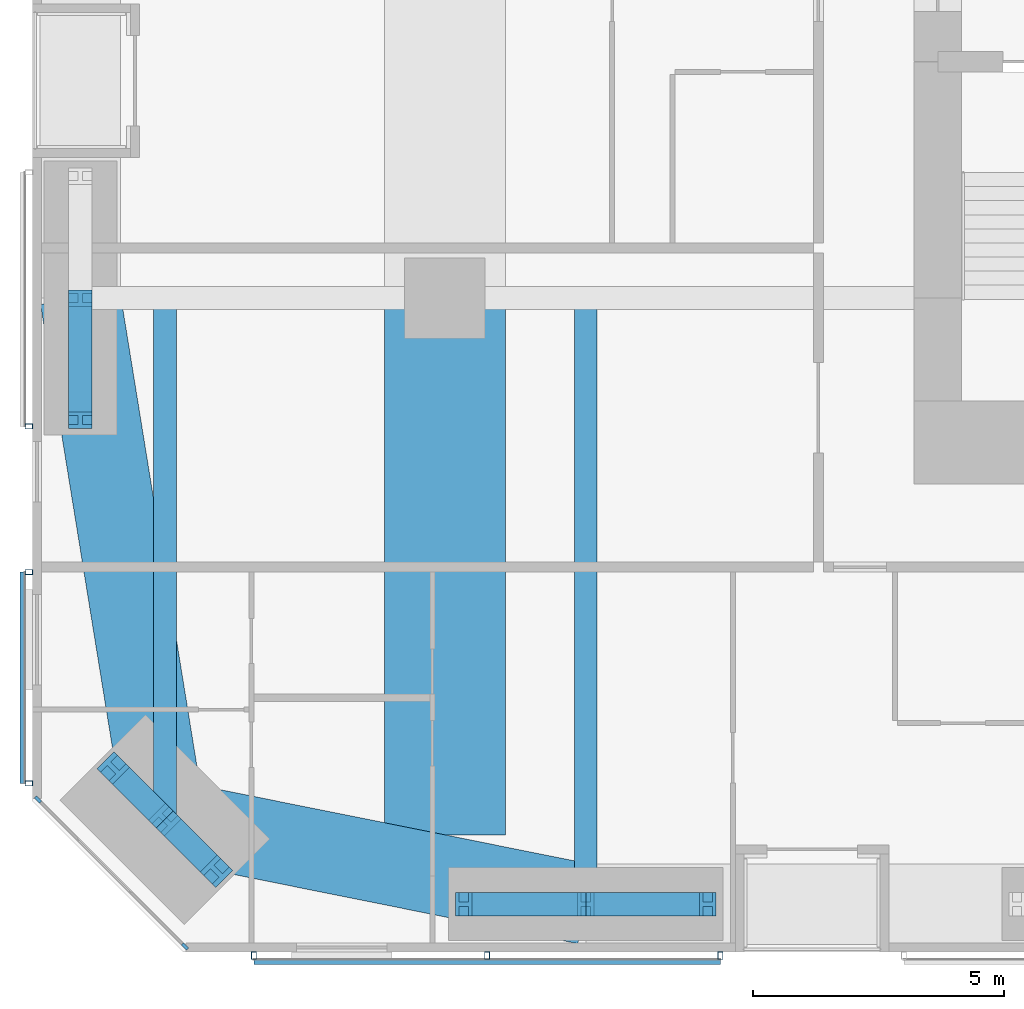
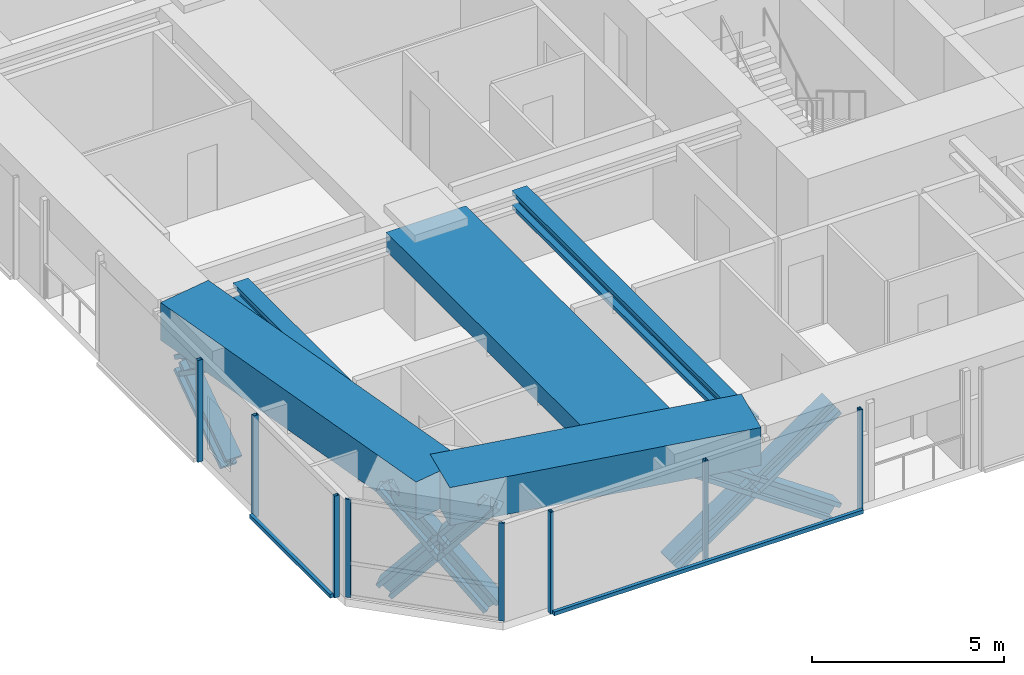
# One storey, part 2 of 23: 20 members, 5 beams, 4 elements without a shape of their own.
"""IFC4 building model written with IfcOpenShell, lengths in metres."""

import ifcopenshell
import ifcopenshell.guid

model = None  # the IFC model being written
_history = None  # IfcOwnerHistory: only IFC2X3 demands one
_inside = {}  # id of a spatial element -> (the spatial element, [elements in it])
_under = {}  # id of a project, library or spatial element -> (it, [spatial elements below it])
_declared = {}  # id of a project -> (the project, [libraries it declares])
_typed = {}  # id of a type object -> (the type object, [elements of that type])
_made_of = {}  # id of a material, layer set ... -> (it, [elements and type objects made of it])


def new_model(schema):
    """Start an empty IFC model of exactly this schema.

    Asked for "IFC4X3", IfcOpenShell would pick the latest addendum, in which some entities
    have other attributes; the version numbers below select the first issue.
    IFC2X3 requires an IfcOwnerHistory on every rooted entity: one is made here for all.
    """
    global model, _history
    if schema == "IFC4X3":
        model = ifcopenshell.file(schema_version=(4, 3, 0, 0))
    else:
        model = ifcopenshell.file(schema=schema)
    _inside.clear()
    _under.clear()
    _declared.clear()
    _typed.clear()
    _made_of.clear()
    _history = None
    if model.schema == "IFC2X3":
        org = make("IfcOrganization", Name="unknown")
        user = make(
            "IfcPersonAndOrganization",
            ThePerson=make("IfcPerson", FamilyName="unknown"),
            TheOrganization=org,
        )
        app = make(
            "IfcApplication",
            ApplicationDeveloper=org,
            Version="unknown",
            ApplicationFullName="unknown",
            ApplicationIdentifier="unknown",
        )
        _history = make(
            "IfcOwnerHistory",
            OwningUser=user,
            OwningApplication=app,
            ChangeAction="ADDED",
            CreationDate=0,
        )
    return model


def make(cls, **values):
    """One entity of the class cls with the attributes given. An attribute that is None is left unset."""
    return model.create_entity(
        cls, **{name: value for name, value in values.items() if value is not None}
    )


def rooted(cls, **values):
    """An entity with a GlobalId (a new one), such as an element, a storey or a relation."""
    return make(cls, GlobalId=ifcopenshell.guid.new(), OwnerHistory=_history, **values)


def si_unit(unit_type, name, prefix=None):
    """IfcSIUnit, for example si_unit("LENGTHUNIT", "METRE", prefix="MILLI")."""
    return make("IfcSIUnit", UnitType=unit_type, Prefix=prefix, Name=name)


def assignment(units):
    """IfcUnitAssignment: the units of a project."""
    return None if units is None else make("IfcUnitAssignment", Units=units)


def point(xyz):
    """IfcCartesianPoint."""
    return None if xyz is None else make("IfcCartesianPoint", Coordinates=xyz)


def direction(xyz):
    """IfcDirection."""
    return None if xyz is None else make("IfcDirection", DirectionRatios=xyz)


def frame(location, z_axis=None, x_axis=None):
    """IfcAxis2Placement3D, a coordinate frame: its origin and axes. An axis left out is left unset."""
    return make(
        "IfcAxis2Placement3D",
        Location=point(location),
        Axis=direction(z_axis),
        RefDirection=direction(x_axis),
    )


def frame_2d(location, x_axis=None):
    """IfcAxis2Placement2D, a coordinate frame in the plane: its origin and x axis."""
    return make(
        "IfcAxis2Placement2D", Location=point(location), RefDirection=direction(x_axis)
    )


def origin():
    """The frame at (0, 0, 0) with its axes left unset."""
    return frame((0.0, 0.0, 0.0))


def origin_2d():
    """The frame at (0, 0) in the plane with its x axis left unset."""
    return frame_2d((0.0, 0.0))


def place(relative_to, where):
    """IfcLocalPlacement: puts the frame where relative to a parent placement (None: the world)."""
    return make(
        "IfcLocalPlacement", PlacementRelTo=relative_to, RelativePlacement=where
    )


def context(
    kind, dimensions, precision=None, world=None, true_north=None, identifier=None
):
    """IfcGeometricRepresentationContext, for example the 3D "Model" context."""
    return make(
        "IfcGeometricRepresentationContext",
        ContextIdentifier=identifier,
        ContextType=kind,
        CoordinateSpaceDimension=dimensions,
        Precision=precision,
        WorldCoordinateSystem=world,
        TrueNorth=true_north,
    )


def subcontext(parent, identifier, kind, view, scale=None):
    """IfcGeometricRepresentationSubContext, for example "Body" below "Model"."""
    return make(
        "IfcGeometricRepresentationSubContext",
        ContextIdentifier=identifier,
        ContextType=kind,
        ParentContext=parent,
        TargetScale=scale,
        TargetView=view,
    )


def project(units=None, contexts=None):
    """IfcProject with its units and contexts."""
    return rooted(
        "IfcProject",
        Name="project",
        RepresentationContexts=contexts,
        UnitsInContext=assignment(units),
    )


def spatial(cls, under=None, at=None, **own):
    """A site, building, storey or space (cls), placed at a placement, below another one or the project."""
    s = rooted(cls, ObjectPlacement=at, **own)
    if under is not None:
        _under.setdefault(under.id(), (under, []))[1].append(s)
    return s


def profile(cls, at=None, kind="AREA", **sizes):
    """A parametric profile (cls). Its sizes go by their IFC names, for example OverallWidth=200.0."""
    return make(cls, ProfileType=kind, Position=at, **sizes)


def rectangle(**sizes):
    """IfcRectangleProfileDef."""
    return profile("IfcRectangleProfileDef", **sizes)


def hollow_rectangle(**sizes):
    """IfcRectangleHollowProfileDef."""
    return profile("IfcRectangleHollowProfileDef", **sizes)


def i_section(**sizes):
    """IfcIShapeProfileDef."""
    return profile("IfcIShapeProfileDef", **sizes)


def extrude(swept, where, along, depth):
    """IfcExtrudedAreaSolid: the profile swept, set in the frame where, extruded along a direction by depth."""
    return make(
        "IfcExtrudedAreaSolid",
        SweptArea=swept,
        Position=where,
        ExtrudedDirection=direction(along),
        Depth=depth,
    )


def shape(context_of_items, identifier, shape_type, items):
    """IfcShapeRepresentation: the items that make up one representation, for example the "Body"."""
    return make(
        "IfcShapeRepresentation",
        ContextOfItems=context_of_items,
        RepresentationIdentifier=identifier,
        RepresentationType=shape_type,
        Items=items,
    )


def material(Name=None, Category=None):
    """IfcMaterial."""
    return make("IfcMaterial", Name=Name, Category=Category)


def material_profile(
    of_material, cross_section, Name=None, Category=None, Priority=None
):
    """IfcMaterialProfile: a cross section and its material."""
    return make(
        "IfcMaterialProfile",
        Name=Name,
        Material=of_material,
        Profile=cross_section,
        Priority=Priority,
        Category=Category,
    )


def profile_set(profiles, Name=None, composite=None):
    """IfcMaterialProfileSet."""
    return make(
        "IfcMaterialProfileSet",
        Name=Name,
        MaterialProfiles=profiles,
        CompositeProfile=composite,
    )


def made_of(thing, what):
    """Note that an element or type object is made of a material, layer set ...; save() writes the relation."""
    if what is not None:
        _made_of.setdefault(what.id(), (what, []))[1].append(thing)
    return thing


def type_object(cls, material=None, **own):
    """A type object (cls), such as IfcWallType, which elements share."""
    return made_of(rooted(cls, **own), material)


def element(
    cls,
    number,
    at=None,
    inside=None,
    cuts=None,
    type_object=None,
    material=None,
    context=None,
    identifier="Body",
    shape_type=None,
    held_by="IfcProductDefinitionShape",
    body=None,
    shapes=None,
    **own,
):
    """One element of the class cls, such as IfcWall. Its Tag is "e" and its number.

    at: its placement. inside: the storey or other place that contains it. cuts: it is an
    opening in that element (IfcRelVoidsElement). A single representation is given by context,
    identifier, shape_type and body (its items); several are given by shapes. held_by: the class
    of the entity that holds the representations. save() writes the other relations.
    """
    e = rooted(cls, Tag="e%d" % number, ObjectPlacement=at, **own)
    if body is not None:
        shapes = [shape(context, identifier, shape_type, body)]
    if shapes is not None:
        e.Representation = make(held_by, Representations=shapes)
    if inside is not None:
        _inside.setdefault(inside.id(), (inside, []))[1].append(e)
    if cuts is not None:
        rooted(
            "IfcRelVoidsElement", RelatingBuildingElement=cuts, RelatedOpeningElement=e
        )
    if type_object is not None:
        _typed.setdefault(type_object.id(), (type_object, []))[1].append(e)
    return made_of(e, material)


def aggregate(whole, parts):
    """IfcRelAggregates: a whole, such as a stair, and the parts it consists of."""
    return rooted("IfcRelAggregates", RelatingObject=whole, RelatedObjects=parts)


def save(model, path):
    """Write the relations noted so far, then the file.

    IfcRelAggregates (storeys below a building ...), IfcRelContainedInSpatialStructure (elements
    in a storey), IfcRelDefinesByType, IfcRelAssociatesMaterial and IfcRelDeclares: one each for
    every whole, place, type object, material and project.
    """
    for whole, parts in _under.values():
        aggregate(whole, parts)
    for where, things in _inside.values():
        rooted(
            "IfcRelContainedInSpatialStructure",
            RelatedElements=things,
            RelatingStructure=where,
        )
    for kind, things in _typed.values():
        rooted("IfcRelDefinesByType", RelatedObjects=things, RelatingType=kind)
    for what, things in _made_of.values():
        rooted("IfcRelAssociatesMaterial", RelatedObjects=things, RelatingMaterial=what)
    for by, libraries in _declared.values():
        rooted("IfcRelDeclares", RelatingContext=by, RelatedDefinitions=libraries)
    model.write(path)


model = new_model("IFC4")

# Units and contexts
model_context = context("Model", 3, precision=1e-05, world=origin(), true_north=direction((0.0, 1.0)))
body_context = subcontext(model_context, "Body", "Model", "MODEL_VIEW")
ifc_project = project(units=[si_unit("LENGTHUNIT", "METRE"), si_unit("AREAUNIT", "SQUARE_METRE"), si_unit("VOLUMEUNIT", "CUBIC_METRE"), si_unit("PLANEANGLEUNIT", "RADIAN"), si_unit("MASSUNIT", "GRAM", prefix="KILO")], contexts=[model_context])

# Site, building, storey
site_placement = place(None, origin())
site = spatial("IfcSite", under=ifc_project, at=site_placement, CompositionType="ELEMENT")
building_placement = place(site_placement, origin())
building = spatial("IfcBuilding", under=site, at=building_placement, Name="Jalousie Tower", CompositionType="ELEMENT")
storey_placement = place(building_placement, frame((0.0, 0.0, 41.10009765625)))
storey = spatial("IfcBuildingStorey", under=building, at=storey_placement, Name="L10", CompositionType="ELEMENT", Elevation=41.10009765625)

# Curtain wall, members
ifc_material_1 = material(Name="Aluminium curtain wall", Category="aluminium")
curtain_wall_type_1 = type_object("IfcCurtainWallType", Name="CORNER WINDOW WALL", PredefinedType="USERDEFINED", material=ifc_material_1)
curtain_wall_1_placement = place(storey_placement, origin())
curtain_wall_1 = element("IfcCurtainWall", 1, at=curtain_wall_1_placement, inside=storey, type_object=curtain_wall_type_1, Name="Corner Window Wall L10 8", ObjectType="CORNER WINDOW WALL", PredefinedType="USERDEFINED")
ifc_material_2 = material(Name="Aluminium mullion", Category="aluminium")
ifc_material_profile_1 = material_profile(ifc_material_2, rectangle(XDim=0.06005859375, YDim=0.14990234375, at=origin_2d()), Name="MULLION 60x150")
ifc_profile_set_1 = profile_set([ifc_material_profile_1], Name="Aluminium mullion")
member_type_1 = type_object("IfcMemberType", Name="CORNER WINDOW WALL MULLION", PredefinedType="MULLION", material=ifc_profile_set_1)
member_1_placement = place(storey_placement, frame((2.108642578125, 3.030029296875, 0.0), z_axis=(0.0, 0.0, 1.0), x_axis=(0.707106781187, 0.707106781187, 0.0)))
member_1 = element("IfcMember", 2, at=member_1_placement, type_object=member_type_1, Name="CW-C mullion 1", PredefinedType="MULLION", context=body_context, shape_type="SweptSolid", body=[
    extrude(rectangle(XDim=0.06005859375, YDim=0.14990234375, at=origin_2d()), origin(), (0.0, 0.0, 1.0), 3.10986328125),
])
member_2_placement = place(storey_placement, frame((5.030029296875, 0.108642578125, 0.0), z_axis=(0.0, 0.0, 1.0), x_axis=(0.707106781187, 0.707106781187, 0.0)))
member_2 = element("IfcMember", 3, at=member_2_placement, type_object=member_type_1, Name="CW-C mullion 2", PredefinedType="MULLION", context=body_context, shape_type="SweptSolid", body=[
    extrude(rectangle(XDim=0.06005859375, YDim=0.14990234375, at=origin_2d()), origin(), (0.0, 0.0, 1.0), 3.10986328125),
])
aggregate(curtain_wall_1, [member_1, member_2])

# Beams
ifc_material_3 = material(Name="Steel ASTM A992 Grade 50", Category="steel")
ifc_material_profile_2 = material_profile(ifc_material_3, i_section(OverallWidth=0.45458984375, OverallDepth=0.569091796875, WebThickness=0.077880859375, FlangeThickness=0.124755859375, at=origin_2d()), Name="W14X730")
ifc_profile_set_2 = profile_set([ifc_material_profile_2], Name="Steel ASTM A992 Grade 50")
beam_type_1 = type_object("IfcBeamType", Name="LEAN COLLECTOR W14X730", PredefinedType="BEAM", material=ifc_profile_set_2)
beam_1_placement = place(storey_placement, frame((4.63134765625, 2.63134765625, 2.825439453125), z_axis=(0.0, 1.0, 0.0), x_axis=(-1.0, 0.0, 0.0)))
element("IfcBeam", 4, at=beam_1_placement, inside=storey, type_object=beam_type_1, Name="Lean collector under L11", PredefinedType="BEAM", context=body_context, shape_type="SweptSolid", body=[
    extrude(i_section(OverallWidth=0.45458984375, OverallDepth=0.569091796875, WebThickness=0.077880859375, FlangeThickness=0.124755859375, at=origin_2d()), origin(), (0.0, 0.0, 1.0), 10.36865234375),
])
beam_2_placement = place(storey_placement, frame((13.0, 0.949951171875, 2.825439453125), z_axis=(0.0, 1.0, 0.0), x_axis=(-1.0, 0.0, 0.0)))
element("IfcBeam", 5, at=beam_2_placement, inside=storey, type_object=beam_type_1, Name="Lean collector under L11", PredefinedType="BEAM", context=body_context, shape_type="SweptSolid", body=[
    extrude(i_section(OverallWidth=0.45458984375, OverallDepth=0.569091796875, WebThickness=0.077880859375, FlangeThickness=0.124755859375, at=origin_2d()), origin(), (0.0, 0.0, 1.0), 12.050048828125),
])

# Members
ifc_material_4 = material(Name="Steel ASTM A992 Grade 50", Category="steel")
ifc_material_profile_3 = material_profile(ifc_material_4, i_section(OverallWidth=0.472412109375, OverallDepth=0.5791015625, WebThickness=0.094970703125, FlangeThickness=0.1298828125, at=origin_2d()), Name="W14X808")
ifc_profile_set_3 = profile_set([ifc_material_profile_3], Name="Steel ASTM A992 Grade 50")
member_type_2 = type_object("IfcMemberType", Name="PERIMETER BRACE W14X808", PredefinedType="BRACE", material=ifc_profile_set_3)
for number, where, z_axis, x_axis, name in (
    (6, (3.606201171875, 3.65673828125, -0.60009765625), (0.462729793854, -0.462839993852, 0.756082189957), (0.707190965575, 0.707022586774, 0.0), "Perimeter brace 01 L10 part 1"),
    (7, (4.63134765625, 2.63134765625, 1.074951171875), (0.462839993852, -0.462729793854, 0.756082189957), (0.707022586774, 0.707190965575, 0.0), "Perimeter brace 01 L10 part 2"),
    (8, (5.65673828125, 1.606201171875, -0.60009765625), (-0.462839993852, 0.462729793854, 0.756082189957), (-0.707022586774, -0.707190965575, 0.0), "Perimeter brace 01 L10 part 3"),
    (9, (4.63134765625, 2.63134765625, 1.074951171875), (-0.462729793854, 0.462839993852, 0.756082189957), (-0.707190965575, -0.707022586774, 0.0), "Perimeter brace 01 L10 part 4"),
):
    element("IfcMember", number, at=place(storey_placement, frame(where, z_axis=z_axis, x_axis=x_axis)), inside=storey, type_object=member_type_2, Name=name, PredefinedType="BRACE", context=body_context, shape_type="SweptSolid", body=[
        extrude(i_section(OverallWidth=0.472412109375, OverallDepth=0.5791015625, WebThickness=0.094970703125, FlangeThickness=0.1298828125, at=origin_2d()), origin(), (0.0, 0.0, 1.0), 2.21533203125),
    ])
for number, where, z_axis, x_axis, name in (
    (10, (10.574951171875, 0.949951171875, -0.60009765625), (0.822800062329, 0.0, 0.568330940062), (0.0, 1.0, 0.0), "Perimeter brace 02 L10 part 1"),
    (11, (13.0, 0.949951171875, 1.074951171875), (0.822800062329, 0.0, 0.568330940062), (0.0, 1.0, 0.0), "Perimeter brace 02 L10 part 2"),
    (12, (15.425048828125, 0.949951171875, -0.60009765625), (-0.822800062329, 0.0, 0.568330940062), (0.0, -1.0, 0.0), "Perimeter brace 02 L10 part 3"),
    (13, (13.0, 0.949951171875, 1.074951171875), (-0.822800062329, 0.0, 0.568330940062), (0.0, -1.0, 0.0), "Perimeter brace 02 L10 part 4"),
    (14, (2.949951171875, 10.574951171875, -0.60009765625), (0.0, 0.822800062329, 0.568330940062), (-1.0, 0.0, 0.0), "Perimeter brace 14 L10 part 1"),
    (15, (2.949951171875, 13.0, 1.074951171875), (0.0, -0.822800062329, 0.568330940062), (1.0, 0.0, 0.0), "Perimeter brace 14 L10 part 4"),
):
    element("IfcMember", number, at=place(storey_placement, frame(where, z_axis=z_axis, x_axis=x_axis)), inside=storey, type_object=member_type_2, Name=name, PredefinedType="BRACE", context=body_context, shape_type="SweptSolid", body=[
        extrude(i_section(OverallWidth=0.472412109375, OverallDepth=0.5791015625, WebThickness=0.094970703125, FlangeThickness=0.1298828125, at=origin_2d()), origin(), (0.0, 0.0, 1.0), 2.947265625),
    ])

# Beams
ifc_material_5 = material(Name="Concrete f'c 40 MPa", Category="concrete")
ifc_material_profile_4 = material_profile(ifc_material_5, rectangle(XDim=1.60009765625, YDim=1.199951171875, at=origin_2d()), Name="RC 1600x1200")
ifc_profile_set_4 = profile_set([ifc_material_profile_4], Name="Concrete f'c 40 MPa")
beam_type_2 = type_object("IfcBeamType", Name="RC BEAM 1600x1200", PredefinedType="BEAM", material=ifc_profile_set_4)
beam_3_placement = place(storey_placement, frame((4.63134765625, 2.63134765625, 2.75), z_axis=(0.980407585444, -0.196979609107, 0.0), x_axis=(0.196979609107, 0.980407585444, 0.0)))
element("IfcBeam", 16, at=beam_3_placement, inside=storey, type_object=beam_type_2, Name="Edge band beam 01-02 under L11", PredefinedType="BEAM", context=body_context, shape_type="SweptSolid", body=[
    extrude(rectangle(XDim=1.60009765625, YDim=1.199951171875, at=origin_2d()), origin(), (0.0, 0.0, 1.0), 8.535888671875),
])
beam_4_placement = place(storey_placement, frame((2.949951171875, 13.0, 2.75), z_axis=(0.160070546476, -0.987105577003, 0.0), x_axis=(0.987105577003, 0.160070546476, 0.0)))
element("IfcBeam", 17, at=beam_4_placement, inside=storey, type_object=beam_type_2, Name="Edge band beam 14-01 under L11", PredefinedType="BEAM", context=body_context, shape_type="SweptSolid", body=[
    extrude(rectangle(XDim=1.60009765625, YDim=1.199951171875, at=origin_2d()), origin(), (0.0, 0.0, 1.0), 10.504150390625),
])
ifc_material_6 = material(Name="Concrete f'c 40 MPa", Category="concrete")
ifc_material_profile_5 = material_profile(ifc_material_6, rectangle(XDim=2.39990234375, YDim=0.60009765625, at=origin_2d()), Name="RC 2400x600")
ifc_profile_set_5 = profile_set([ifc_material_profile_5], Name="Concrete f'c 40 MPa")
beam_type_3 = type_object("IfcBeamType", Name="RC BEAM 2400x600", PredefinedType="BEAM", material=ifc_profile_set_5)
beam_5_placement = place(storey_placement, frame((10.199951171875, 13.0, 2.809814453125), z_axis=(0.0, -1.0, 0.0), x_axis=(1.0, 0.0, 0.0)))
element("IfcBeam", 18, at=beam_5_placement, inside=storey, type_object=beam_type_3, Name="Floor band beam under L11", PredefinedType="BEAM", context=body_context, shape_type="SweptSolid", body=[
    extrude(rectangle(XDim=2.39990234375, YDim=0.60009765625, at=origin_2d()), origin(), (0.0, 0.0, 1.0), 10.67138671875),
])

# Curtain wall, members
ifc_material_7 = material(Name="Perforated aluminium sheet", Category="aluminium")
curtain_wall_type_2 = type_object("IfcCurtainWallType", Name="SOLAR SCREEN SS-1", PredefinedType="USERDEFINED", material=ifc_material_7)
curtain_wall_2_placement = place(storey_placement, origin())
curtain_wall_2 = element("IfcCurtainWall", 19, at=curtain_wall_2_placement, inside=storey, type_object=curtain_wall_type_2, Name="Solar screen L10", ObjectType="SOLAR SCREEN SS-1", PredefinedType="USERDEFINED")
ifc_material_8 = material(Name="Steel ASTM A500 Grade C", Category="steel")
ifc_material_profile_6 = material_profile(ifc_material_8, hollow_rectangle(XDim=0.1015625, YDim=0.15234375, WallThickness=0.00634765625, at=origin_2d()), Name="HSS6X4X1/4")
ifc_profile_set_6 = profile_set([ifc_material_profile_6], Name="Steel ASTM A500 Grade C")
member_type_3 = type_object("IfcMemberType", Name="SOLAR SCREEN SS-1 MULLION", PredefinedType="MULLION", material=ifc_profile_set_6)
member_3_placement = place(storey_placement, frame((6.39990234375, -0.0712890625, -0.1201171875), z_axis=(0.0, 0.0, 1.0), x_axis=(1.0, 0.0, 0.0)))
member_3 = element("IfcMember", 20, at=member_3_placement, type_object=member_type_3, Name="SS1 post 1", PredefinedType="MULLION", context=body_context, shape_type="SweptSolid", body=[
    extrude(hollow_rectangle(XDim=0.1015625, YDim=0.15234375, WallThickness=0.00634765625, at=origin_2d()), origin(), (0.0, 0.0, 1.0), 3.22998046875),
])
member_4_placement = place(storey_placement, frame((11.03759765625, -0.0712890625, -0.1201171875), z_axis=(0.0, 0.0, 1.0), x_axis=(1.0, 0.0, 0.0)))
member_4 = element("IfcMember", 21, at=member_4_placement, type_object=member_type_3, Name="SS1 post 2", PredefinedType="MULLION", context=body_context, shape_type="SweptSolid", body=[
    extrude(hollow_rectangle(XDim=0.1015625, YDim=0.15234375, WallThickness=0.00634765625, at=origin_2d()), origin(), (0.0, 0.0, 1.0), 3.22998046875),
])
member_5_placement = place(storey_placement, frame((15.675048828125, -0.0712890625, -0.1201171875), z_axis=(0.0, 0.0, 1.0), x_axis=(1.0, 0.0, 0.0)))
member_5 = element("IfcMember", 22, at=member_5_placement, type_object=member_type_3, Name="SS1 post 3", PredefinedType="MULLION", context=body_context, shape_type="SweptSolid", body=[
    extrude(hollow_rectangle(XDim=0.1015625, YDim=0.15234375, WallThickness=0.00634765625, at=origin_2d()), origin(), (0.0, 0.0, 1.0), 3.22998046875),
])

# Curtain wall, member
curtain_wall_3_placement = place(storey_placement, origin())
curtain_wall_3 = element("IfcCurtainWall", 23, at=curtain_wall_3_placement, inside=storey, type_object=curtain_wall_type_2, Name="Solar screen L10", ObjectType="SOLAR SCREEN SS-1", PredefinedType="USERDEFINED")
member_6_placement = place(storey_placement, frame((1.9287109375, 10.449951171875, -0.1201171875), z_axis=(0.0, 0.0, 1.0), x_axis=(0.0, -1.0, 0.0)))
member_6 = element("IfcMember", 24, at=member_6_placement, type_object=member_type_3, Name="SS1 post 2", PredefinedType="MULLION", context=body_context, shape_type="SweptSolid", body=[
    extrude(hollow_rectangle(XDim=0.1015625, YDim=0.15234375, WallThickness=0.00634765625, at=origin_2d()), origin(), (0.0, 0.0, 1.0), 3.22998046875),
])
aggregate(curtain_wall_3, [member_6])

# Curtain wall, members
curtain_wall_4_placement = place(storey_placement, origin())
curtain_wall_4 = element("IfcCurtainWall", 25, at=curtain_wall_4_placement, inside=storey, type_object=curtain_wall_type_2, Name="Solar screen L10", ObjectType="SOLAR SCREEN SS-1", PredefinedType="USERDEFINED")
member_7_placement = place(storey_placement, frame((1.9287109375, 7.550048828125, -0.1201171875), z_axis=(0.0, 0.0, 1.0), x_axis=(0.0, -1.0, 0.0)))
member_7 = element("IfcMember", 26, at=member_7_placement, type_object=member_type_3, Name="SS1 post 1", PredefinedType="MULLION", context=body_context, shape_type="SweptSolid", body=[
    extrude(hollow_rectangle(XDim=0.1015625, YDim=0.15234375, WallThickness=0.00634765625, at=origin_2d()), origin(), (0.0, 0.0, 1.0), 3.22998046875),
])
member_8_placement = place(storey_placement, frame((1.9287109375, 3.351318359375, -0.1201171875), z_axis=(0.0, 0.0, 1.0), x_axis=(0.0, -1.0, 0.0)))
member_8 = element("IfcMember", 27, at=member_8_placement, type_object=member_type_3, Name="SS1 post 2", PredefinedType="MULLION", context=body_context, shape_type="SweptSolid", body=[
    extrude(hollow_rectangle(XDim=0.1015625, YDim=0.15234375, WallThickness=0.00634765625, at=origin_2d()), origin(), (0.0, 0.0, 1.0), 3.22998046875),
])

# Member
ifc_material_9 = material(Name="Extruded aluminium screen rail", Category="aluminium")
ifc_material_profile_7 = material_profile(ifc_material_9, rectangle(XDim=0.1015625, YDim=0.1201171875, at=origin_2d()), Name="RAIL 102x120")
ifc_profile_set_7 = profile_set([ifc_material_profile_7], Name="Extruded aluminium screen rail")
member_type_4 = type_object("IfcMemberType", Name="SOLAR SCREEN SS-1 TRANSOM", PredefinedType="USERDEFINED", material=ifc_profile_set_7)
member_9_placement = place(storey_placement, frame((6.39990234375, -0.1982421875, -0.06005859375), z_axis=(1.0, 0.0, 0.0), x_axis=(0.0, 1.0, 0.0)))
member_9 = element("IfcMember", 28, at=member_9_placement, type_object=member_type_4, Name="SS1 rail", ObjectType="TRANSOM", PredefinedType="USERDEFINED", context=body_context, shape_type="SweptSolid", body=[
    extrude(rectangle(XDim=0.1015625, YDim=0.1201171875, at=origin_2d()), origin(), (0.0, 0.0, 1.0), 9.275146484375),
])

aggregate(curtain_wall_2, [member_3, member_4, member_5, member_9])

member_10_placement = place(storey_placement, frame((1.8017578125, 7.550048828125, -0.06005859375), z_axis=(0.0, -1.0, 0.0), x_axis=(1.0, 0.0, 0.0)))
member_10 = element("IfcMember", 29, at=member_10_placement, type_object=member_type_4, Name="SS1 rail", ObjectType="TRANSOM", PredefinedType="USERDEFINED", context=body_context, shape_type="SweptSolid", body=[
    extrude(rectangle(XDim=0.1015625, YDim=0.1201171875, at=origin_2d()), origin(), (0.0, 0.0, 1.0), 4.19873046875),
])

aggregate(curtain_wall_4, [member_7, member_8, member_10])

save(model, "model.ifc")
